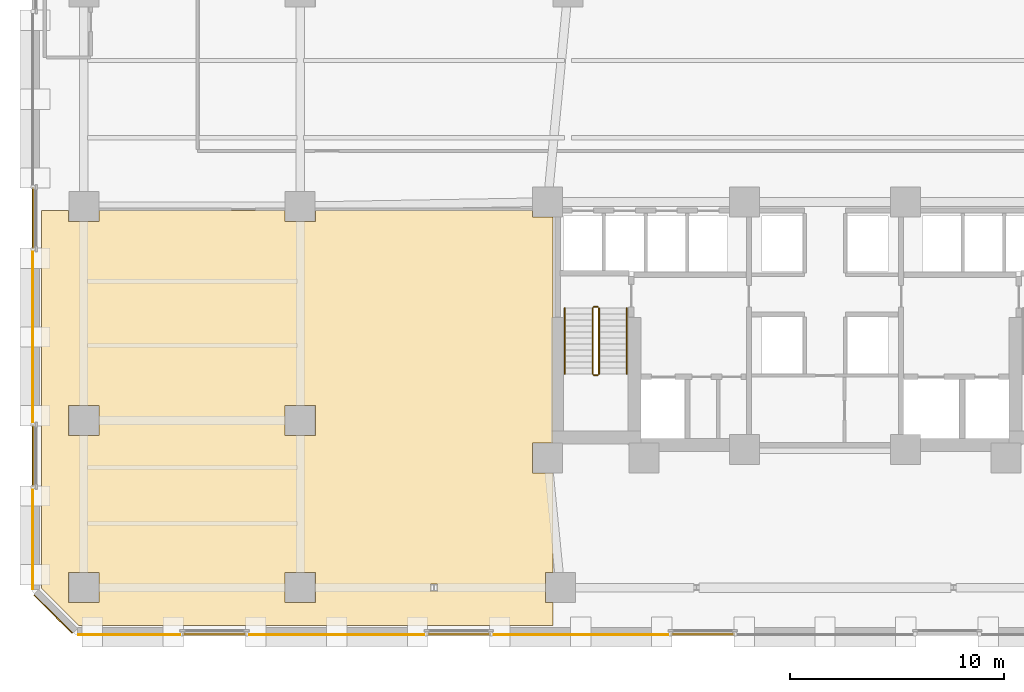
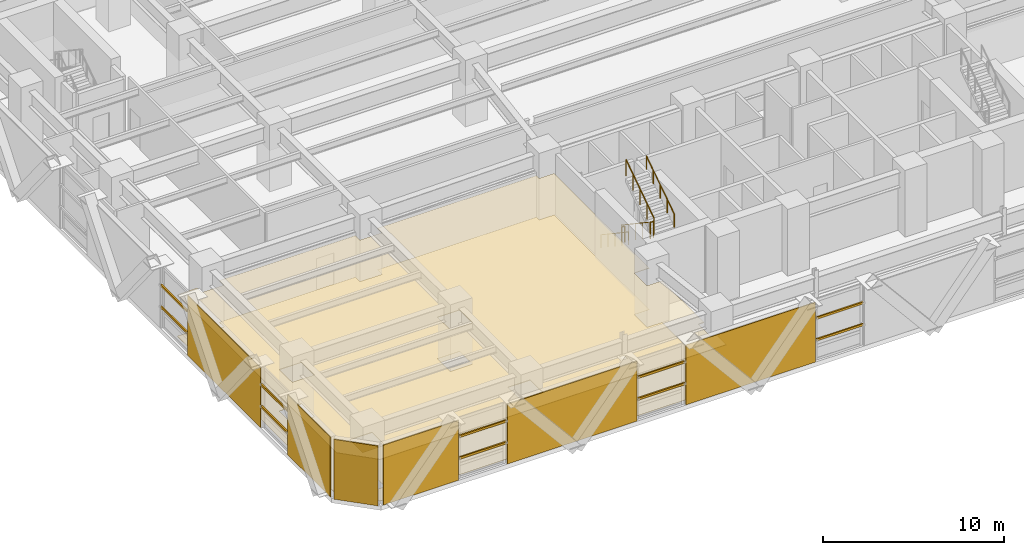
# One storey, part 20 of 26: 10 shading devices, 8 coverings, 6 railings.
"""IFC4 building model written with IfcOpenShell, lengths in metres."""

from ifc_helpers import new_model, si_unit, direction, frame, origin, origin_2d, place, context, subcontext, project, spatial, polyline, rectangle, circle, outline, extrude, material, layer, layer_set, material_profile, profile_set, type_object, element, save


model = new_model("IFC4")

# Units and contexts
model_context = context("Model", 3, precision=1e-05, world=origin(), true_north=direction((0.0, 1.0)))
body_context = subcontext(model_context, "Body", "Model", "MODEL_VIEW")
ifc_project = project(units=[si_unit("LENGTHUNIT", "METRE"), si_unit("AREAUNIT", "SQUARE_METRE"), si_unit("VOLUMEUNIT", "CUBIC_METRE"), si_unit("PLANEANGLEUNIT", "RADIAN"), si_unit("MASSUNIT", "GRAM", prefix="KILO")], contexts=[model_context])

# Site, building, storey
site_placement = place(None, origin())
site = spatial("IfcSite", under=ifc_project, at=site_placement, CompositionType="ELEMENT")
building_placement = place(site_placement, origin())
building = spatial("IfcBuilding", under=site, at=building_placement, Name="Quenlor Broadcast Tower", CompositionType="ELEMENT")
storey_placement = place(building_placement, frame((0.0, 0.0, 18.5)))
storey = spatial("IfcBuildingStorey", under=building, at=storey_placement, Name="L04", CompositionType="ELEMENT", Elevation=18.5)

# Covering
ifc_material_1 = material(Name="Acoustic Gypsum Board", Category="other")
ifc_layer_1 = layer(ifc_material_1, 0.0400390625)
ifc_layer_set_1 = layer_set([ifc_layer_1], Name="Broadcast Studio Spring Isolated Ceiling 40")
covering_type_1 = type_object("IfcCoveringType", Name="Broadcast Studio Spring Isolated Ceiling 40", PredefinedType="CEILING", material=ifc_layer_set_1)
covering_1_placement = place(storey_placement, frame((0.0, 0.0, 2.7900390625)))
element("IfcCovering", 1, at=covering_1_placement, inside=storey, type_object=covering_type_1, Name="L04 Acoustic Ceiling L04-32", PredefinedType="CEILING", context=body_context, shape_type="SweptSolid", body=[
    extrude(outline(polyline([(-36.580078125, -5.199951171875), (-35.30810546875, -5.199951171875), (-35.30810546875, -5.7080078125), (-33.89208984375, -5.7080078125), (-33.89208984375, -5.199951171875), (-25.2080078125, -5.199951171875), (-25.2080078125, -5.7080078125), (-23.7919921875, -5.7080078125), (-23.7919921875, -5.199951171875), (-13.657958984375, -5.199951171875), (-13.657958984375, -5.508056640625), (-12.699951171875, -5.508056640625), (-12.699951171875, -16.0419921875), (-13.657958984375, -16.0419921875), (-13.657958984375, -17.4580078125), (-12.699951171875, -17.4580078125), (-12.699951171875, -22.092041015625), (-13.05810546875, -22.092041015625), (-13.05810546875, -23.508056640625), (-12.699951171875, -23.508056640625), (-12.699951171875, -24.580078125), (-34.825927734375, -24.580078125), (-36.580078125, -22.825927734375), (-36.580078125, -5.199951171875)]), holes=[polyline([(-23.7919921875, -22.092041015625), (-25.2080078125, -22.092041015625), (-25.2080078125, -23.508056640625), (-23.7919921875, -23.508056640625), (-23.7919921875, -22.092041015625)]), polyline([(-18.08642578125, -22.9716796875), (-18.08642578125, -22.62841796875), (-18.41357421875, -22.62841796875), (-18.41357421875, -22.9716796875), (-18.08642578125, -22.9716796875)]), polyline([(-33.89208984375, -22.092041015625), (-35.30810546875, -22.092041015625), (-35.30810546875, -23.508056640625), (-33.89208984375, -23.508056640625), (-33.89208984375, -22.092041015625)]), polyline([(-33.89208984375, -15.7080078125), (-33.89208984375, -14.2919921875), (-35.30810546875, -14.2919921875), (-35.30810546875, -15.7080078125), (-33.89208984375, -15.7080078125)]), polyline([(-23.7919921875, -14.2919921875), (-25.2080078125, -14.2919921875), (-25.2080078125, -15.7080078125), (-23.7919921875, -15.7080078125), (-23.7919921875, -14.2919921875)])]), origin(), (0.0, 0.0, 1.0), 0.0400390625),
])

# Shading devices
ifc_material_2 = material(Name="Architectural Terracotta Ceramic", Category="masonry")
ifc_material_profile = material_profile(ifc_material_2, rectangle(XDim=0.090087890625, YDim=0.139892578125, at=origin_2d()))
ifc_profile_set = profile_set([ifc_material_profile], Name="Architectural Terracotta Ceramic BAG90x140")
shading_device_type = type_object("IfcShadingDeviceType", Name="Copper Terracotta Baguette Solar Screen 140", PredefinedType="USERDEFINED", material=ifc_profile_set)
for number, where, z_axis, x_axis, name in (
    (2, (-4.2060546875, -24.972900390625, 1.46875), (-1.0, 0.0, 0.0), (0.0, -1.0, 0.0), "L04 Terracotta Baguette Screen 1"),
    (3, (-4.2060546875, -24.972900390625, 2.9375), (-1.0, 0.0, 0.0), (0.0, -1.0, 0.0), "L04 Terracotta Baguette Screen 2"),
    (4, (-15.606201171875, -24.972900390625, 1.46875), (-1.0, 0.0, 0.0), (0.0, -1.0, 0.0), "L04 Terracotta Baguette Screen 1"),
    (5, (-15.606201171875, -24.972900390625, 2.9375), (-1.0, 0.0, 0.0), (0.0, -1.0, 0.0), "L04 Terracotta Baguette Screen 2"),
    (6, (-27.006103515625, -24.972900390625, 1.46875), (-1.0, 0.0, 0.0), (0.0, -1.0, 0.0), "L04 Terracotta Baguette Screen 1"),
    (7, (-27.006103515625, -24.972900390625, 2.9375), (-1.0, 0.0, 0.0), (0.0, -1.0, 0.0), "L04 Terracotta Baguette Screen 2"),
):
    element("IfcShadingDevice", number, at=place(storey_placement, frame(where, z_axis=z_axis, x_axis=x_axis)), inside=storey, type_object=shading_device_type, Name=name, ObjectType="BAGUETTE", PredefinedType="USERDEFINED", context=body_context, shape_type="SweptSolid", body=[
        extrude(rectangle(XDim=0.090087890625, YDim=0.139892578125, at=origin_2d()), origin(), (0.0, 0.0, 1.0), 2.98779296875),
    ])
for number, where, z_axis, x_axis, name in (
    (8, (-36.972900390625, -18.093505859375, 1.46875), (0.0, 1.0, 0.0), (-1.0, 0.0, 0.0), "L04 Terracotta Baguette Screen 1"),
    (9, (-36.972900390625, -18.093505859375, 2.9375), (0.0, 1.0, 0.0), (-1.0, 0.0, 0.0), "L04 Terracotta Baguette Screen 2"),
    (10, (-36.972900390625, -6.99365234375, 1.46875), (0.0, 1.0, 0.0), (-1.0, 0.0, 0.0), "L04 Terracotta Baguette Screen 1"),
    (11, (-36.972900390625, -6.99365234375, 2.9375), (0.0, 1.0, 0.0), (-1.0, 0.0, 0.0), "L04 Terracotta Baguette Screen 2"),
):
    element("IfcShadingDevice", number, at=place(storey_placement, frame(where, z_axis=z_axis, x_axis=x_axis)), inside=storey, type_object=shading_device_type, Name=name, ObjectType="BAGUETTE", PredefinedType="USERDEFINED", context=body_context, shape_type="SweptSolid", body=[
        extrude(rectangle(XDim=0.090087890625, YDim=0.139892578125, at=origin_2d()), origin(), (0.0, 0.0, 1.0), 2.88720703125),
    ])

# Coverings
ifc_material_3 = material(Name="Architectural Terracotta Ceramic", Category="masonry")
ifc_layer_2 = layer(ifc_material_3, 0.044921875)
ifc_layer_set_2 = layer_set([ifc_layer_2], Name="Fluted Terracotta Rainscreen Cladding Panel")
covering_type_2 = type_object("IfcCoveringType", Name="Fluted Terracotta Rainscreen Cladding Panel", PredefinedType="CLADDING", material=ifc_layer_set_2)
covering_2_placement = place(storey_placement, frame((0.0, 0.0, 0.02001953125)))
element("IfcCovering", 12, at=covering_2_placement, inside=storey, type_object=covering_type_2, Name="L04 Terracotta Rainscreen Cladding L04-S-FULL-SP5", PredefinedType="CLADDING", context=body_context, shape_type="SweptSolid", body=[
    extrude(outline(polyline([(-7.264892578125, -24.971923828125), (-15.53515625, -24.971923828125), (-15.53515625, -25.01708984375), (-7.264892578125, -25.01708984375), (-7.264892578125, -24.971923828125)])), origin(), (0.0, 0.0, 1.0), 4.0400390625),
])
covering_3_placement = place(storey_placement, frame((0.0, 0.0, 0.02001953125)))
element("IfcCovering", 13, at=covering_3_placement, inside=storey, type_object=covering_type_2, Name="L04 Terracotta Rainscreen Cladding L04-S-FULL-SP6", PredefinedType="CLADDING", context=body_context, shape_type="SweptSolid", body=[
    extrude(outline(polyline([(-18.664794921875, -24.971923828125), (-26.93505859375, -24.971923828125), (-26.93505859375, -25.01708984375), (-18.664794921875, -25.01708984375), (-18.664794921875, -24.971923828125)])), origin(), (0.0, 0.0, 1.0), 4.0400390625),
])
covering_4_placement = place(storey_placement, frame((0.0, 0.0, 0.02001953125)))
element("IfcCovering", 14, at=covering_4_placement, inside=storey, type_object=covering_type_2, Name="L04 Terracotta Rainscreen Cladding L04-S-FULL-SP7", PredefinedType="CLADDING", context=body_context, shape_type="SweptSolid", body=[
    extrude(outline(polyline([(-30.06494140625, -24.971923828125), (-34.8701171875, -24.971923828125), (-34.8701171875, -25.01708984375), (-30.06494140625, -25.01708984375), (-30.06494140625, -24.971923828125)])), origin(), (0.0, 0.0, 1.0), 4.0400390625),
])
covering_5_placement = place(storey_placement, frame((0.0, 0.0, 0.02001953125)))
element("IfcCovering", 15, at=covering_5_placement, inside=storey, type_object=covering_type_2, Name="L04 Terracotta Rainscreen Cladding L04-W-FULL-SP1", PredefinedType="CLADDING", context=body_context, shape_type="SweptSolid", body=[
    extrude(outline(polyline([(-36.971923828125, -22.8701171875), (-36.971923828125, -18.16455078125), (-37.01708984375, -18.16455078125), (-37.01708984375, -22.8701171875), (-36.971923828125, -22.8701171875)])), origin(), (0.0, 0.0, 1.0), 4.0400390625),
])
covering_6_placement = place(storey_placement, frame((0.0, 0.0, 0.02001953125)))
element("IfcCovering", 16, at=covering_6_placement, inside=storey, type_object=covering_type_2, Name="L04 Terracotta Rainscreen Cladding L04-W-FULL-SP2", PredefinedType="CLADDING", context=body_context, shape_type="SweptSolid", body=[
    extrude(outline(polyline([(-36.971923828125, -15.135498046875), (-36.971923828125, -7.064697265625), (-37.01708984375, -7.064697265625), (-37.01708984375, -15.135498046875), (-36.971923828125, -15.135498046875)])), origin(), (0.0, 0.0, 1.0), 4.0400390625),
])
covering_7_placement = place(storey_placement, frame((0.0, 0.0, 0.02001953125)))
element("IfcCovering", 17, at=covering_7_placement, inside=storey, type_object=covering_type_2, Name="L04 Terracotta Rainscreen Cladding L04-EW-CSW", PredefinedType="CLADDING", context=body_context, shape_type="SweptSolid", body=[
    extrude(outline(polyline([(-35.128662109375, -24.90625), (-36.90625, -23.128662109375), (-36.93798828125, -23.160400390625), (-35.160400390625, -24.93798828125), (-35.128662109375, -24.90625)])), origin(), (0.0, 0.0, 1.0), 4.0400390625),
])
ifc_material_4 = material(Name="Terrazzo Stone Finish", Category="masonry")
ifc_layer_3 = layer(ifc_material_4, 0.02001953125)
ifc_layer_set_3 = layer_set([ifc_layer_3], Name="Polished Sandstone Terrazzo Flooring 20")
covering_type_3 = type_object("IfcCoveringType", Name="Polished Sandstone Terrazzo Flooring 20", PredefinedType="FLOORING", material=ifc_layer_set_3)
covering_8_placement = place(storey_placement, origin())
element("IfcCovering", 18, at=covering_8_placement, inside=storey, type_object=covering_type_3, Name="L04 Terrazzo Flooring L04-32", PredefinedType="FLOORING", context=body_context, shape_type="SweptSolid", body=[
    extrude(outline(polyline([(-36.580078125, -5.199951171875), (-35.30810546875, -5.199951171875), (-35.30810546875, -5.7080078125), (-33.89208984375, -5.7080078125), (-33.89208984375, -5.199951171875), (-25.2080078125, -5.199951171875), (-25.2080078125, -5.7080078125), (-23.7919921875, -5.7080078125), (-23.7919921875, -5.199951171875), (-13.657958984375, -5.199951171875), (-13.657958984375, -5.508056640625), (-12.699951171875, -5.508056640625), (-12.699951171875, -16.0419921875), (-13.657958984375, -16.0419921875), (-13.657958984375, -17.4580078125), (-12.699951171875, -17.4580078125), (-12.699951171875, -22.092041015625), (-13.05810546875, -22.092041015625), (-13.05810546875, -23.508056640625), (-12.699951171875, -23.508056640625), (-12.699951171875, -24.580078125), (-34.825927734375, -24.580078125), (-36.580078125, -22.825927734375), (-36.580078125, -5.199951171875)]), holes=[polyline([(-23.7919921875, -22.092041015625), (-25.2080078125, -22.092041015625), (-25.2080078125, -23.508056640625), (-23.7919921875, -23.508056640625), (-23.7919921875, -22.092041015625)]), polyline([(-18.08642578125, -22.9716796875), (-18.08642578125, -22.62841796875), (-18.41357421875, -22.62841796875), (-18.41357421875, -22.9716796875), (-18.08642578125, -22.9716796875)]), polyline([(-33.89208984375, -22.092041015625), (-35.30810546875, -22.092041015625), (-35.30810546875, -23.508056640625), (-33.89208984375, -23.508056640625), (-33.89208984375, -22.092041015625)]), polyline([(-33.89208984375, -15.7080078125), (-33.89208984375, -14.2919921875), (-35.30810546875, -14.2919921875), (-35.30810546875, -15.7080078125), (-33.89208984375, -15.7080078125)]), polyline([(-23.7919921875, -14.2919921875), (-25.2080078125, -14.2919921875), (-25.2080078125, -15.7080078125), (-23.7919921875, -15.7080078125), (-23.7919921875, -14.2919921875)])]), origin(), (0.0, 0.0, 1.0), 0.02001953125),
])

# Railings
ifc_material_5 = material(Name="Anodised Aluminium", Category="aluminium")
railing_type_1 = type_object("IfcRailingType", Name="Stainless Aluminium Wall Handrail 900", PredefinedType="HANDRAIL", material=ifc_material_5)
railing_1_placement = place(storey_placement, frame((-12.14990234375, -9.75, 0.1875)))
element("IfcRailing", 19, at=railing_1_placement, inside=storey, type_object=railing_type_1, Name="L04 ST-1 stair handrail 1", PredefinedType="HANDRAIL", context=body_context, shape_type="SweptSolid", body=[
    extrude(circle(Radius=0.02392578125, at=origin_2d()), frame((0.0, 0.0, 0.8759765625), z_axis=(0.0, -0.830913701846, 0.55640131208), x_axis=(1.0, 0.0, 0.0)), (0.0, 0.0, 1.0), 3.706787109375),
    extrude(circle(Radius=0.02099609375, at=origin_2d()), origin(), (0.0, 0.0, 1.0), 0.851806640625),
    extrude(circle(Radius=0.02099609375, at=origin_2d()), frame((0.0, -0.77001953125, 0.515625)), (0.0, 0.0, 1.0), 0.851806640625),
    extrude(circle(Radius=0.02099609375, at=origin_2d()), frame((0.0, -1.5400390625, 1.03125)), (0.0, 0.0, 1.0), 0.851806640625),
    extrude(circle(Radius=0.02099609375, at=origin_2d()), frame((0.0, -2.31005859375, 1.546875)), (0.0, 0.0, 1.0), 0.851806640625),
    extrude(circle(Radius=0.02099609375, at=origin_2d()), frame((0.0, -3.080078125, 2.0625)), (0.0, 0.0, 1.0), 0.851806640625),
])
railing_2_placement = place(storey_placement, frame((-9.25, -12.830078125, 2.4375)))
element("IfcRailing", 20, at=railing_2_placement, inside=storey, type_object=railing_type_1, Name="L04 ST-1 stair handrail 2", PredefinedType="HANDRAIL", context=body_context, shape_type="SweptSolid", body=[
    extrude(circle(Radius=0.02392578125, at=origin_2d()), frame((0.0, 0.0, 0.8759765625), z_axis=(0.0, 0.830913701846, 0.55640131208), x_axis=(-1.0, 0.0, 0.0)), (0.0, 0.0, 1.0), 3.706787109375),
    extrude(circle(Radius=0.02099609375, at=origin_2d()), origin(), (0.0, 0.0, 1.0), 0.851806640625),
    extrude(circle(Radius=0.02099609375, at=origin_2d()), frame((0.0, 0.77001953125, 0.515625)), (0.0, 0.0, 1.0), 0.851806640625),
    extrude(circle(Radius=0.02099609375, at=origin_2d()), frame((0.0, 1.5400390625, 1.03125)), (0.0, 0.0, 1.0), 0.851806640625),
    extrude(circle(Radius=0.02099609375, at=origin_2d()), frame((0.0, 2.31005859375, 1.546875)), (0.0, 0.0, 1.0), 0.851806640625),
    extrude(circle(Radius=0.02099609375, at=origin_2d()), frame((0.0, 3.080078125, 2.0625)), (0.0, 0.0, 1.0), 0.851806640625),
])
ifc_material_6 = material(Name="Steel S355", Category="steel")
railing_type_2 = type_object("IfcRailingType", Name="Tubular Steel S355 Stair Guardrail 1100", PredefinedType="BALUSTRADE", material=ifc_material_6)
railing_3_placement = place(storey_placement, frame((-10.85009765625, -9.75, 0.1875)))
element("IfcRailing", 21, at=railing_3_placement, inside=storey, type_object=railing_type_2, Name="L04 ST-1 stair guard 1", PredefinedType="BALUSTRADE", context=body_context, shape_type="SweptSolid", body=[
    extrude(circle(Radius=0.02392578125, at=origin_2d()), frame((0.0, 0.0, 1.076171875), z_axis=(0.0, -0.830913701846, 0.55640131208), x_axis=(1.0, 0.0, 0.0)), (0.0, 0.0, 1.0), 3.706787109375),
    extrude(circle(Radius=0.02099609375, at=origin_2d()), origin(), (0.0, 0.0, 1.0), 1.052001953125),
    extrude(circle(Radius=0.02099609375, at=origin_2d()), frame((0.0, -0.77001953125, 0.515625)), (0.0, 0.0, 1.0), 1.052001953125),
    extrude(circle(Radius=0.02099609375, at=origin_2d()), frame((0.0, -1.5400390625, 1.03125)), (0.0, 0.0, 1.0), 1.052001953125),
    extrude(circle(Radius=0.02099609375, at=origin_2d()), frame((0.0, -2.31005859375, 1.546875)), (0.0, 0.0, 1.0), 1.052001953125),
    extrude(circle(Radius=0.02099609375, at=origin_2d()), frame((0.0, -3.080078125, 2.0625)), (0.0, 0.0, 1.0), 1.052001953125),
])
railing_4_placement = place(storey_placement, frame((-10.800048828125, -12.8798828125, 2.25)))
element("IfcRailing", 22, at=railing_4_placement, inside=storey, type_object=railing_type_2, Name="L04 ST-1 stair guard 2", PredefinedType="BALUSTRADE", context=body_context, shape_type="SweptSolid", body=[
    extrude(circle(Radius=0.02392578125, at=origin_2d()), frame((0.0, 0.0, 1.076171875), z_axis=(1.0, 0.0, 0.0), x_axis=(0.0, 1.0, 0.0)), (0.0, 0.0, 1.0), 0.199951171875),
    extrude(circle(Radius=0.02099609375, at=origin_2d()), origin(), (0.0, 0.0, 1.0), 1.052001953125),
    extrude(circle(Radius=0.02099609375, at=origin_2d()), frame((0.199951171875, 0.0, 0.0)), (0.0, 0.0, 1.0), 1.052001953125),
])
railing_5_placement = place(storey_placement, frame((-10.550048828125, -12.830078125, 2.4375)))
element("IfcRailing", 23, at=railing_5_placement, inside=storey, type_object=railing_type_2, Name="L04 ST-1 stair guard 3", PredefinedType="BALUSTRADE", context=body_context, shape_type="SweptSolid", body=[
    extrude(circle(Radius=0.02392578125, at=origin_2d()), frame((0.0, 0.0, 1.076171875), z_axis=(0.0, 0.830913701846, 0.55640131208), x_axis=(-1.0, 0.0, 0.0)), (0.0, 0.0, 1.0), 3.706787109375),
    extrude(circle(Radius=0.02099609375, at=origin_2d()), origin(), (0.0, 0.0, 1.0), 1.052001953125),
    extrude(circle(Radius=0.02099609375, at=origin_2d()), frame((0.0, 0.77001953125, 0.515625)), (0.0, 0.0, 1.0), 1.052001953125),
    extrude(circle(Radius=0.02099609375, at=origin_2d()), frame((0.0, 1.5400390625, 1.03125)), (0.0, 0.0, 1.0), 1.052001953125),
    extrude(circle(Radius=0.02099609375, at=origin_2d()), frame((0.0, 2.31005859375, 1.546875)), (0.0, 0.0, 1.0), 1.052001953125),
    extrude(circle(Radius=0.02099609375, at=origin_2d()), frame((0.0, 3.080078125, 2.0625)), (0.0, 0.0, 1.0), 1.052001953125),
])
railing_6_placement = place(storey_placement, frame((-10.800048828125, -9.699951171875, 0.0)))
element("IfcRailing", 24, at=railing_6_placement, inside=storey, type_object=railing_type_2, Name="L04 ST-1 stair guard 4", PredefinedType="BALUSTRADE", context=body_context, shape_type="SweptSolid", body=[
    extrude(circle(Radius=0.02392578125, at=origin_2d()), frame((0.0, 0.0, 1.076171875), z_axis=(1.0, 0.0, 0.0), x_axis=(0.0, 1.0, 0.0)), (0.0, 0.0, 1.0), 0.199951171875),
    extrude(circle(Radius=0.02099609375, at=origin_2d()), origin(), (0.0, 0.0, 1.0), 1.052001953125),
    extrude(circle(Radius=0.02099609375, at=origin_2d()), frame((0.199951171875, 0.0, 0.0)), (0.0, 0.0, 1.0), 1.052001953125),
])

save(model, "model.ifc")
